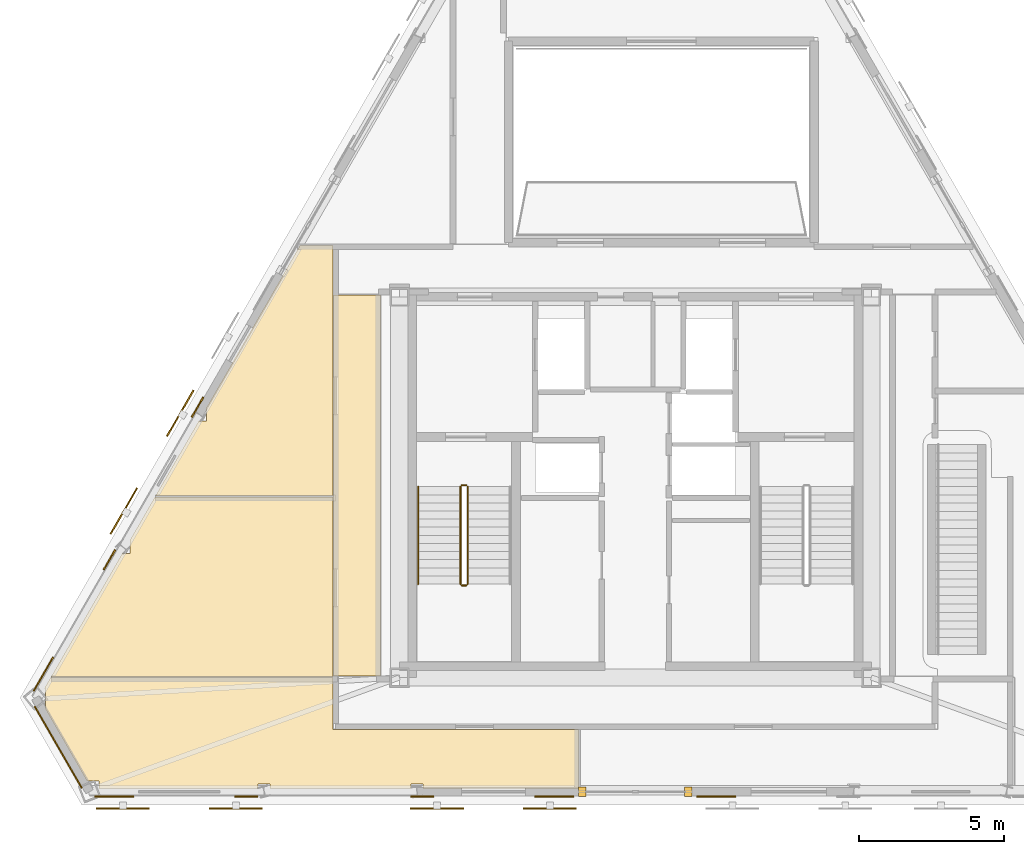
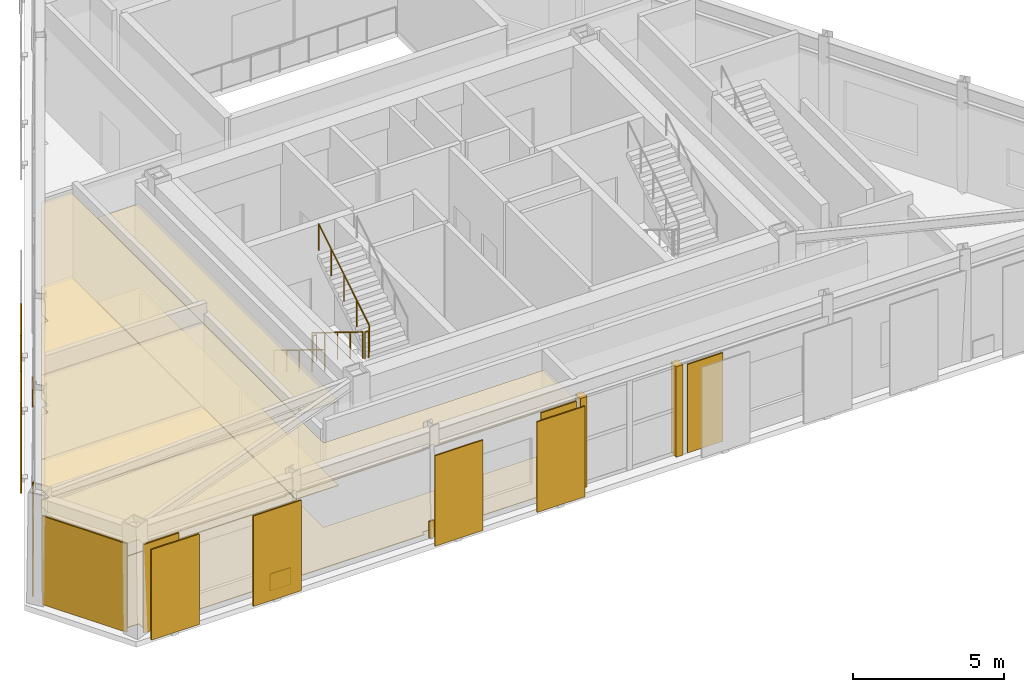
# One storey, part 13 of 15: 19 coverings, 6 shading devices, 5 railings.
"""IFC4 building model written with IfcOpenShell, lengths in metres."""

from ifc_helpers import new_model, si_unit, direction, frame, origin, origin_2d, place, context, subcontext, project, spatial, polyline, rectangle, circle, outline, extrude, material, layer, layer_set, type_object, element, save


model = new_model("IFC4")

# Units and contexts
model_context = context("Model", 3, precision=1e-05, world=origin(), true_north=direction((0.0, 1.0)))
body_context = subcontext(model_context, "Body", "Model", "MODEL_VIEW")
ifc_project = project(units=[si_unit("LENGTHUNIT", "METRE"), si_unit("AREAUNIT", "SQUARE_METRE"), si_unit("VOLUMEUNIT", "CUBIC_METRE"), si_unit("PLANEANGLEUNIT", "RADIAN"), si_unit("MASSUNIT", "GRAM", prefix="KILO")], contexts=[model_context])

# Site, building, storey
site_placement = place(None, origin())
site = spatial("IfcSite", under=ifc_project, at=site_placement, CompositionType="ELEMENT")
building_placement = place(site_placement, origin())
building = spatial("IfcBuilding", under=site, at=building_placement, Name="Oramaril Tower", CompositionType="ELEMENT")
storey_placement = place(building_placement, frame((0.0, 0.0, 305.10009765625)))
storey = spatial("IfcBuildingStorey", under=building, at=storey_placement, Name="L80", CompositionType="ELEMENT", Elevation=305.10009765625)

# Coverings
ifc_material_1 = material(Name="Mineral Fibre Acoustic Ceiling")
ifc_layer_1 = layer(ifc_material_1, 0.02001953125)
ifc_layer_set_1 = layer_set([ifc_layer_1], Name="CVT-CEIL")
covering_type_1 = type_object("IfcCoveringType", Name="CVT-CEIL", PredefinedType="CEILING", material=ifc_layer_set_1)
covering_1_placement = place(storey_placement, frame((0.0, 0.0, 3.411865234375)))
element("IfcCovering", 1, at=covering_1_placement, inside=storey, type_object=covering_type_1, Name="L80 Acoustic Suspended Ceiling 3", PredefinedType="CEILING", context=body_context, shape_type="SweptSolid", body=[
    extrude(outline(polyline([(28.699951171875, 11.050048828125), (27.070068359375, 11.050048828125), (27.070068359375, 24.219970703125), (28.699951171875, 24.219970703125), (28.699951171875, 11.050048828125)])), origin(), (0.0, 0.0, 1.0), 0.02001953125),
])
covering_2_placement = place(storey_placement, frame((0.0, 0.0, 3.411865234375)))
element("IfcCovering", 2, at=covering_2_placement, inside=storey, type_object=covering_type_1, Name="L80 Acoustic Suspended Ceiling 6", PredefinedType="CEILING", context=body_context, shape_type="SweptSolid", body=[
    extrude(outline(polyline([(35.5419921875, 7.16162109375), (30.16650390625, 7.16162109375), (30.16650390625, 7.315673828125), (29.744873046875, 7.315673828125), (29.744873046875, 7.16162109375), (24.88818359375, 7.16162109375), (24.88818359375, 7.315673828125), (24.460693359375, 7.315673828125), (24.460693359375, 7.16162109375), (18.9697265625, 7.16162109375), (18.9697265625, 7.42919921875), (18.5576171875, 7.42919921875), (17.112548828125, 9.93212890625), (17.1337890625, 9.93212890625), (17.1337890625, 10.618408203125), (17.0859375, 10.618408203125), (17.301513671875, 10.991943359375), (27.050048828125, 10.991943359375), (27.050048828125, 9.219970703125), (27.050048828125, 9.218017578125), (27.05029296875, 9.216064453125), (27.05078125, 9.214111328125), (27.051513671875, 9.21240234375), (27.052490234375, 9.210693359375), (27.053466796875, 9.208984375), (27.054443359375, 9.207275390625), (27.055908203125, 9.205810546875), (27.057373046875, 9.20458984375), (27.058837890625, 9.203369140625), (27.060546875, 9.202392578125), (27.062255859375, 9.201416015625), (27.064208984375, 9.200927734375), (27.066162109375, 9.200439453125), (27.068115234375, 9.2001953125), (27.070068359375, 9.199951171875), (35.5419921875, 9.199951171875), (35.5419921875, 7.16162109375)])), origin(), (0.0, 0.0, 1.0), 0.02001953125),
])
covering_3_placement = place(storey_placement, frame((0.0, 0.0, 3.411865234375)))
element("IfcCovering", 3, at=covering_3_placement, inside=storey, type_object=covering_type_1, Name="L80 Acoustic Suspended Ceiling 8", PredefinedType="CEILING", context=body_context, shape_type="SweptSolid", body=[
    extrude(outline(polyline([(19.774658203125, 15.275390625), (20.039794921875, 15.275390625), (20.039794921875, 15.728759765625), (20.036376953125, 15.728759765625), (20.909912109375, 17.241943359375), (27.050048828125, 17.241943359375), (27.050048828125, 11.050048828125), (27.050048828125, 11.048095703125), (27.05029296875, 11.046142578125), (27.05078125, 11.044189453125), (27.051513671875, 11.042236328125), (27.052490234375, 11.04052734375), (27.052734375, 11.0400390625), (27.052490234375, 11.039306640625), (27.051513671875, 11.03759765625), (27.05078125, 11.035888671875), (27.05029296875, 11.033935546875), (27.050048828125, 11.031982421875), (27.050048828125, 11.030029296875), (27.050048828125, 11.011962890625), (17.313232421875, 11.011962890625), (19.774658203125, 15.275390625)])), origin(), (0.0, 0.0, 1.0), 0.02001953125),
])
covering_4_placement = place(storey_placement, frame((0.0, 0.0, 3.411865234375)))
element("IfcCovering", 4, at=covering_4_placement, inside=storey, type_object=covering_type_1, Name="L80 Acoustic Suspended Ceiling 9", PredefinedType="CEILING", context=body_context, shape_type="SweptSolid", body=[
    extrude(outline(polyline([(22.416748046875, 19.8515625), (22.681884765625, 19.8515625), (22.681884765625, 20.2998046875), (22.67529296875, 20.2998046875), (25.92138671875, 25.922119140625), (27.050048828125, 25.922119140625), (27.050048828125, 24.239990234375), (27.050048828125, 24.238037109375), (27.05029296875, 24.236083984375), (27.05078125, 24.234130859375), (27.051513671875, 24.232421875), (27.052490234375, 24.230712890625), (27.052734375, 24.22998046875), (27.052490234375, 24.2294921875), (27.051513671875, 24.227783203125), (27.05078125, 24.225830078125), (27.05029296875, 24.223876953125), (27.050048828125, 24.221923828125), (27.050048828125, 24.219970703125), (27.050048828125, 17.261962890625), (20.921630859375, 17.261962890625), (22.416748046875, 19.8515625)])), origin(), (0.0, 0.0, 1.0), 0.02001953125),
])
ifc_material_2 = material(Name="Warm Cream Limestone", Category="masonry")
ifc_layer_2 = layer(ifc_material_2, 0.050048828125)
ifc_layer_set_2 = layer_set([ifc_layer_2], Name="CVT-CLD")
covering_type_2 = type_object("IfcCoveringType", Name="CVT-CLD", PredefinedType="CLADDING", material=ifc_layer_set_2)
covering_5_placement = place(storey_placement, frame((17.567626953125, 8.592041015625, 0.0400390625), z_axis=(0.0, 0.0, 1.0), x_axis=(0.500006045986, -0.866021913105, 0.0)))
element("IfcCovering", 5, at=covering_5_placement, inside=storey, type_object=covering_type_2, Name="L80 Warm Cream Limestone Cladding", PredefinedType="CLADDING", context=body_context, shape_type="SweptSolid", body=[
    extrude(rectangle(XDim=3.24658203125, YDim=0.050048828125, at=origin_2d()), origin(), (0.0, 0.0, 1.0), 3.577880859375),
])
for number, where, z_axis, x_axis, name in (
    (6, (35.669921875, 7.0537109375, 0.0), (0.0, 0.0, 1.0), (1.0, 0.0, 0.0), "L80 Curtain Wall Limestone Jamb Closure"),
    (7, (39.330078125, 7.0537109375, 0.0), (0.0, 0.0, 1.0), (1.0, 0.0, 0.0), "L80 Curtain Wall Limestone Jamb Closure"),
):
    element("IfcCovering", number, at=place(storey_placement, frame(where, z_axis=z_axis, x_axis=x_axis)), inside=storey, type_object=covering_type_2, Name=name, PredefinedType="CLADDING", context=body_context, shape_type="SweptSolid", body=[
        extrude(rectangle(XDim=0.260009765625, YDim=0.340087890625, at=origin_2d()), origin(), (0.0, 0.0, 1.0), 3.657958984375),
    ])
for number, where, z_axis, x_axis, name in (
    (8, (19.499755859375, 6.8857421875, 0.0400390625), (0.0, 0.0, 1.0), (1.0, 0.0, 0.0), "L80 Warm Cream Limestone Cladding"),
    (9, (34.699951171875, 6.8857421875, 0.0400390625), (0.0, 0.0, 1.0), (1.0, 0.0, 0.0), "L80 Warm Cream Limestone Cladding"),
):
    element("IfcCovering", number, at=place(storey_placement, frame(where, z_axis=z_axis, x_axis=x_axis)), inside=storey, type_object=covering_type_2, Name=name, PredefinedType="CLADDING", context=body_context, shape_type="SweptSolid", body=[
        extrude(rectangle(XDim=1.35009765625, YDim=0.050048828125, at=origin_2d()), origin(), (0.0, 0.0, 1.0), 3.577880859375),
    ])
for number, where, z_axis, x_axis, name in (
    (10, (24.057861328125, 6.8857421875, 0.0400390625), (0.0, 0.0, 1.0), (1.0, 0.0, 0.0), "L80 Warm Cream Limestone Spandrel Cladding"),
    (11, (30.141845703125, 6.8857421875, 0.0400390625), (0.0, 0.0, 1.0), (1.0, 0.0, 0.0), "L80 Warm Cream Limestone Spandrel Cladding"),
):
    element("IfcCovering", number, at=place(storey_placement, frame(where, z_axis=z_axis, x_axis=x_axis)), inside=storey, type_object=covering_type_2, Name=name, PredefinedType="CLADDING", context=body_context, shape_type="SweptSolid", body=[
        extrude(rectangle(XDim=0.800048828125, YDim=0.050048828125, at=origin_2d()), origin(), (0.0, 0.0, 1.0), 0.679931640625),
    ])
for number, where, z_axis, x_axis, name in (
    (12, (40.300048828125, 6.8857421875, 0.0400390625), (0.0, 0.0, 1.0), (1.0, 0.0, 0.0), "L80 Warm Cream Limestone Cladding"),
    (13, (17.055908203125, 11.118408203125, 0.0400390625), (0.0, 0.0, 1.0), (-0.5, -0.866025403784, 0.0), "L80 Warm Cream Limestone Cladding"),
):
    element("IfcCovering", number, at=place(storey_placement, frame(where, z_axis=z_axis, x_axis=x_axis)), inside=storey, type_object=covering_type_2, Name=name, PredefinedType="CLADDING", context=body_context, shape_type="SweptSolid", body=[
        extrude(rectangle(XDim=1.35009765625, YDim=0.050048828125, at=origin_2d()), origin(), (0.0, 0.0, 1.0), 3.577880859375),
    ])
for number, where, z_axis, x_axis, name in (
    (14, (22.377197265625, 20.334716796875, 0.0400390625), (0.0, 0.0, 1.0), (-0.5, -0.866025403784, 0.0), "L80 Warm Cream Limestone Spandrel Cladding"),
    (15, (19.3349609375, 15.06591796875, 0.0400390625), (0.0, 0.0, 1.0), (-0.5, -0.866025403784, 0.0), "L80 Warm Cream Limestone Spandrel Cladding"),
):
    element("IfcCovering", number, at=place(storey_placement, frame(where, z_axis=z_axis, x_axis=x_axis)), inside=storey, type_object=covering_type_2, Name=name, PredefinedType="CLADDING", context=body_context, shape_type="SweptSolid", body=[
        extrude(rectangle(XDim=0.800048828125, YDim=0.050048828125, at=origin_2d()), origin(), (0.0, 0.0, 1.0), 0.679931640625),
    ])
ifc_material_3 = material(Name="Honed Quartzite Stone Flooring", Category="masonry")
ifc_layer_3 = layer(ifc_material_3, 0.02490234375)
ifc_layer_set_3 = layer_set([ifc_layer_3], Name="CVT-FLR")
covering_type_3 = type_object("IfcCoveringType", Name="CVT-FLR", PredefinedType="FLOORING", material=ifc_layer_set_3)
covering_6_placement = place(storey_placement, origin())
element("IfcCovering", 16, at=covering_6_placement, inside=storey, type_object=covering_type_3, Name="L80 Honed Stone Floor Finish 3", PredefinedType="FLOORING", context=body_context, shape_type="SweptSolid", body=[
    extrude(outline(polyline([(28.699951171875, 11.050048828125), (27.070068359375, 11.050048828125), (27.070068359375, 24.219970703125), (28.699951171875, 24.219970703125), (28.699951171875, 11.050048828125)])), origin(), (0.0, 0.0, 1.0), 0.02490234375),
])
covering_7_placement = place(storey_placement, origin())
element("IfcCovering", 17, at=covering_7_placement, inside=storey, type_object=covering_type_3, Name="L80 Honed Stone Floor Finish 6", PredefinedType="FLOORING", context=body_context, shape_type="SweptSolid", body=[
    extrude(outline(polyline([(35.5419921875, 7.16162109375), (30.16650390625, 7.16162109375), (30.16650390625, 7.315673828125), (29.744873046875, 7.315673828125), (29.744873046875, 7.16162109375), (24.88818359375, 7.16162109375), (24.88818359375, 7.315673828125), (24.460693359375, 7.315673828125), (24.460693359375, 7.16162109375), (18.9697265625, 7.16162109375), (18.9697265625, 7.42919921875), (18.5576171875, 7.42919921875), (17.112548828125, 9.93212890625), (17.1337890625, 9.93212890625), (17.1337890625, 10.618408203125), (17.0859375, 10.618408203125), (17.301513671875, 10.991943359375), (27.050048828125, 10.991943359375), (27.050048828125, 9.219970703125), (27.050048828125, 9.218017578125), (27.05029296875, 9.216064453125), (27.05078125, 9.214111328125), (27.051513671875, 9.21240234375), (27.052490234375, 9.210693359375), (27.053466796875, 9.208984375), (27.054443359375, 9.207275390625), (27.055908203125, 9.205810546875), (27.057373046875, 9.20458984375), (27.058837890625, 9.203369140625), (27.060546875, 9.202392578125), (27.062255859375, 9.201416015625), (27.064208984375, 9.200927734375), (27.066162109375, 9.200439453125), (27.068115234375, 9.2001953125), (27.070068359375, 9.199951171875), (35.5419921875, 9.199951171875), (35.5419921875, 7.16162109375)])), origin(), (0.0, 0.0, 1.0), 0.02490234375),
])
covering_8_placement = place(storey_placement, origin())
element("IfcCovering", 18, at=covering_8_placement, inside=storey, type_object=covering_type_3, Name="L80 Honed Stone Floor Finish 8", PredefinedType="FLOORING", context=body_context, shape_type="SweptSolid", body=[
    extrude(outline(polyline([(19.774658203125, 15.275390625), (20.039794921875, 15.275390625), (20.039794921875, 15.728759765625), (20.036376953125, 15.728759765625), (20.909912109375, 17.241943359375), (27.050048828125, 17.241943359375), (27.050048828125, 11.050048828125), (27.050048828125, 11.048095703125), (27.05029296875, 11.046142578125), (27.05078125, 11.044189453125), (27.051513671875, 11.042236328125), (27.052490234375, 11.04052734375), (27.052734375, 11.0400390625), (27.052490234375, 11.039306640625), (27.051513671875, 11.03759765625), (27.05078125, 11.035888671875), (27.05029296875, 11.033935546875), (27.050048828125, 11.031982421875), (27.050048828125, 11.030029296875), (27.050048828125, 11.011962890625), (17.313232421875, 11.011962890625), (19.774658203125, 15.275390625)])), origin(), (0.0, 0.0, 1.0), 0.02490234375),
])
covering_9_placement = place(storey_placement, origin())
element("IfcCovering", 19, at=covering_9_placement, inside=storey, type_object=covering_type_3, Name="L80 Honed Stone Floor Finish 9", PredefinedType="FLOORING", context=body_context, shape_type="SweptSolid", body=[
    extrude(outline(polyline([(22.416748046875, 19.8515625), (22.681884765625, 19.8515625), (22.681884765625, 20.2998046875), (22.67529296875, 20.2998046875), (25.92138671875, 25.922119140625), (27.050048828125, 25.922119140625), (27.050048828125, 24.239990234375), (27.050048828125, 24.238037109375), (27.05029296875, 24.236083984375), (27.05078125, 24.234130859375), (27.051513671875, 24.232421875), (27.052490234375, 24.230712890625), (27.052734375, 24.22998046875), (27.052490234375, 24.2294921875), (27.051513671875, 24.227783203125), (27.05078125, 24.225830078125), (27.05029296875, 24.223876953125), (27.050048828125, 24.221923828125), (27.050048828125, 24.219970703125), (27.050048828125, 17.261962890625), (20.921630859375, 17.261962890625), (22.416748046875, 19.8515625)])), origin(), (0.0, 0.0, 1.0), 0.02490234375),
])

# Railings
ifc_material_4 = material(Name="Stainless Steel 316L", Category="steel")
railing_type_1 = type_object("IfcRailingType", Name="RLT-GRD", PredefinedType="GUARDRAIL", material=ifc_material_4)
railing_1_placement = place(storey_placement, frame((31.4599609375, 17.590087890625, 0.173095703125)))
element("IfcRailing", 20, at=railing_1_placement, inside=storey, type_object=railing_type_1, Name="L80 ST-1 stair guard 1", PredefinedType="GUARDRAIL", context=body_context, shape_type="SweptSolid", body=[
    extrude(circle(Radius=0.02392578125, at=origin_2d()), frame((0.0, 0.0, 1.076171875), z_axis=(0.0, -0.850623216509, 0.525775754039), x_axis=(1.0, 0.0, 0.0)), (0.0, 0.0, 1.0), 3.9501953125),
    extrude(circle(Radius=0.02099609375, at=origin_2d()), origin(), (0.0, 0.0, 1.0), 1.052001953125),
    extrude(circle(Radius=0.02099609375, at=origin_2d()), frame((0.0, -0.840087890625, 0.519287109375)), (0.0, 0.0, 1.0), 1.052001953125),
    extrude(circle(Radius=0.02099609375, at=origin_2d()), frame((0.0, -1.68017578125, 1.03857421875)), (0.0, 0.0, 1.0), 1.052001953125),
    extrude(circle(Radius=0.02099609375, at=origin_2d()), frame((0.0, -2.52001953125, 1.5576171875)), (0.0, 0.0, 1.0), 1.052001953125),
    extrude(circle(Radius=0.02099609375, at=origin_2d()), frame((0.0, -3.360107421875, 2.076904296875)), (0.0, 0.0, 1.0), 1.052001953125),
])
railing_2_placement = place(storey_placement, frame((31.510009765625, 14.179931640625, 2.25)))
element("IfcRailing", 21, at=railing_2_placement, inside=storey, type_object=railing_type_1, Name="L80 ST-1 stair guard 2", PredefinedType="GUARDRAIL", context=body_context, shape_type="SweptSolid", body=[
    extrude(circle(Radius=0.02392578125, at=origin_2d()), frame((0.0, 0.0, 1.076171875), z_axis=(1.0, 0.0, 0.0), x_axis=(0.0, 1.0, 0.0)), (0.0, 0.0, 1.0), 0.14990234375),
    extrude(circle(Radius=0.02099609375, at=origin_2d()), origin(), (0.0, 0.0, 1.0), 1.052001953125),
    extrude(circle(Radius=0.02099609375, at=origin_2d()), frame((0.14990234375, 0.0, 0.0)), (0.0, 0.0, 1.0), 1.052001953125),
])
railing_3_placement = place(storey_placement, frame((31.7099609375, 14.22998046875, 2.423095703125)))
element("IfcRailing", 22, at=railing_3_placement, inside=storey, type_object=railing_type_1, Name="L80 ST-1 stair guard 3", PredefinedType="GUARDRAIL", context=body_context, shape_type="SweptSolid", body=[
    extrude(circle(Radius=0.02392578125, at=origin_2d()), frame((0.0, 0.0, 1.076171875), z_axis=(0.0, 0.850623216509, 0.525775754039), x_axis=(-1.0, 0.0, 0.0)), (0.0, 0.0, 1.0), 3.9501953125),
    extrude(circle(Radius=0.02099609375, at=origin_2d()), origin(), (0.0, 0.0, 1.0), 1.052001953125),
    extrude(circle(Radius=0.02099609375, at=origin_2d()), frame((0.0, 0.840087890625, 0.519287109375)), (0.0, 0.0, 1.0), 1.052001953125),
    extrude(circle(Radius=0.02099609375, at=origin_2d()), frame((0.0, 1.68017578125, 1.03857421875)), (0.0, 0.0, 1.0), 1.052001953125),
    extrude(circle(Radius=0.02099609375, at=origin_2d()), frame((0.0, 2.52001953125, 1.5576171875)), (0.0, 0.0, 1.0), 1.052001953125),
    extrude(circle(Radius=0.02099609375, at=origin_2d()), frame((0.0, 3.360107421875, 2.076904296875)), (0.0, 0.0, 1.0), 1.052001953125),
])
railing_4_placement = place(storey_placement, frame((31.510009765625, 17.639892578125, 0.0)))
element("IfcRailing", 23, at=railing_4_placement, inside=storey, type_object=railing_type_1, Name="L80 ST-1 stair guard 4", PredefinedType="GUARDRAIL", context=body_context, shape_type="SweptSolid", body=[
    extrude(circle(Radius=0.02392578125, at=origin_2d()), frame((0.0, 0.0, 1.076171875), z_axis=(1.0, 0.0, 0.0), x_axis=(0.0, 1.0, 0.0)), (0.0, 0.0, 1.0), 0.14990234375),
    extrude(circle(Radius=0.02099609375, at=origin_2d()), origin(), (0.0, 0.0, 1.0), 1.052001953125),
    extrude(circle(Radius=0.02099609375, at=origin_2d()), frame((0.14990234375, 0.0, 0.0)), (0.0, 0.0, 1.0), 1.052001953125),
])
ifc_material_5 = material(Name="Stainless Steel 316L", Category="steel")
railing_type_2 = type_object("IfcRailingType", Name="RLT-HND", PredefinedType="HANDRAIL", material=ifc_material_5)
railing_5_placement = place(storey_placement, frame((30.0, 17.590087890625, 0.173095703125)))
element("IfcRailing", 24, at=railing_5_placement, inside=storey, type_object=railing_type_2, Name="L80 ST-1 stair handrail 1", PredefinedType="HANDRAIL", context=body_context, shape_type="SweptSolid", body=[
    extrude(circle(Radius=0.02392578125, at=origin_2d()), frame((0.0, 0.0, 0.8759765625), z_axis=(0.0, -0.850623216509, 0.525775754039), x_axis=(1.0, 0.0, 0.0)), (0.0, 0.0, 1.0), 3.9501953125),
    extrude(circle(Radius=0.02099609375, at=origin_2d()), origin(), (0.0, 0.0, 1.0), 0.851806640625),
    extrude(circle(Radius=0.02099609375, at=origin_2d()), frame((0.0, -0.840087890625, 0.519287109375)), (0.0, 0.0, 1.0), 0.851806640625),
    extrude(circle(Radius=0.02099609375, at=origin_2d()), frame((0.0, -1.68017578125, 1.03857421875)), (0.0, 0.0, 1.0), 0.851806640625),
    extrude(circle(Radius=0.02099609375, at=origin_2d()), frame((0.0, -2.52001953125, 1.5576171875)), (0.0, 0.0, 1.0), 0.851806640625),
    extrude(circle(Radius=0.02099609375, at=origin_2d()), frame((0.0, -3.360107421875, 2.076904296875)), (0.0, 0.0, 1.0), 0.851806640625),
])

# Shading devices
for number, where, z_axis, x_axis, name in (
    (25, (19.7998046875, 6.4736328125, -0.02001953125), (0.0, 0.0, 1.0), (1.0, 0.0, 0.0), "L80 Perforated Ceramic Solar Screen"),
    (26, (23.69970703125, 6.4736328125, -0.02001953125), (0.0, 0.0, 1.0), (1.0, 0.0, 0.0), "L80 Perforated Ceramic Solar Screen"),
    (27, (30.64990234375, 6.4736328125, -0.02001953125), (0.0, 0.0, 1.0), (1.0, 0.0, 0.0), "L80 Perforated Ceramic Solar Screen"),
    (28, (34.550048828125, 6.4736328125, -0.02001953125), (0.0, 0.0, 1.0), (1.0, 0.0, 0.0), "L80 Perforated Ceramic Solar Screen"),
    (29, (21.780517578125, 20.12548828125, -0.02001953125), (0.0, 0.0, 1.0), (-0.500001511499, -0.866024531118, 0.0), "L80 Perforated Ceramic Solar Screen"),
    (30, (19.830322265625, 16.747802734375, -0.02001953125), (0.0, 0.0, 1.0), (-0.500001511499, -0.866024531118, 0.0), "L80 Perforated Ceramic Solar Screen"),
):
    element("IfcShadingDevice", number, at=place(storey_placement, frame(where, z_axis=z_axis, x_axis=x_axis)), inside=storey, Name=name, ObjectType="SCREEN", PredefinedType="USERDEFINED", context=body_context, shape_type="SweptSolid", body=[
        extrude(rectangle(XDim=1.8330078125, YDim=0.050048828125, at=origin_2d()), origin(), (0.0, 0.0, 1.0), 3.657958984375),
    ])

save(model, "model.ifc")
